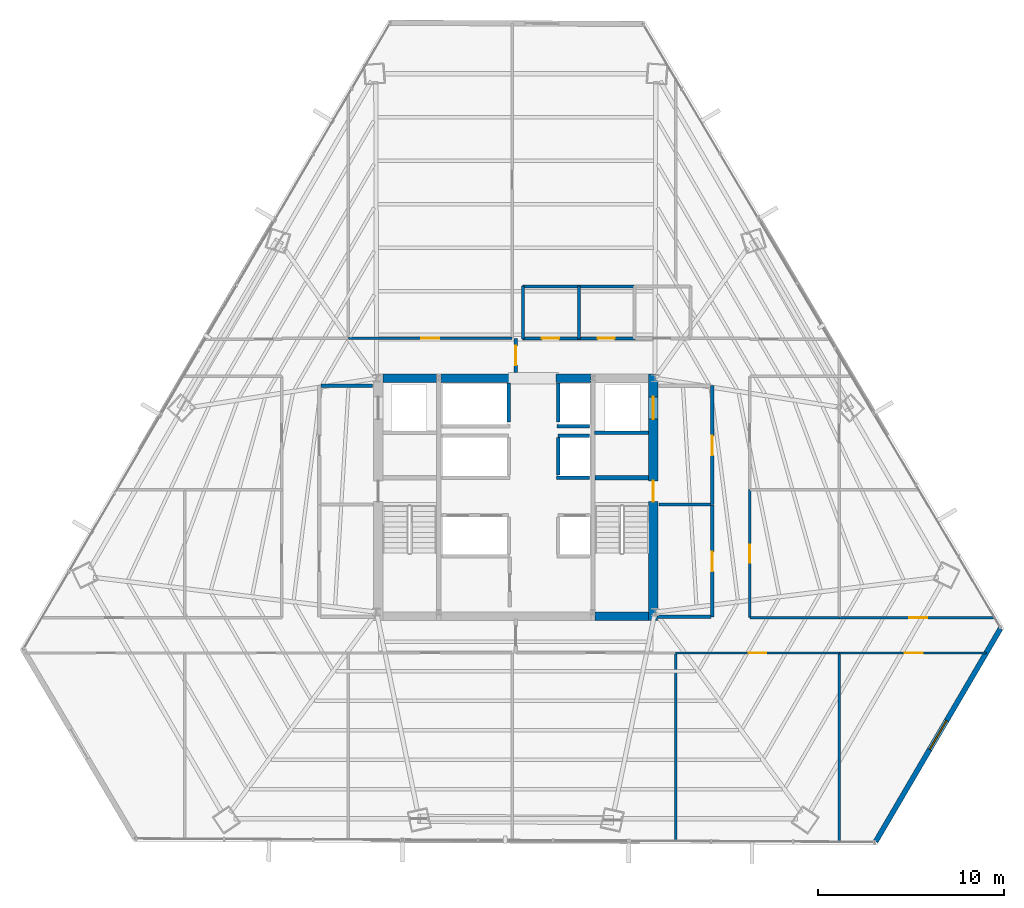
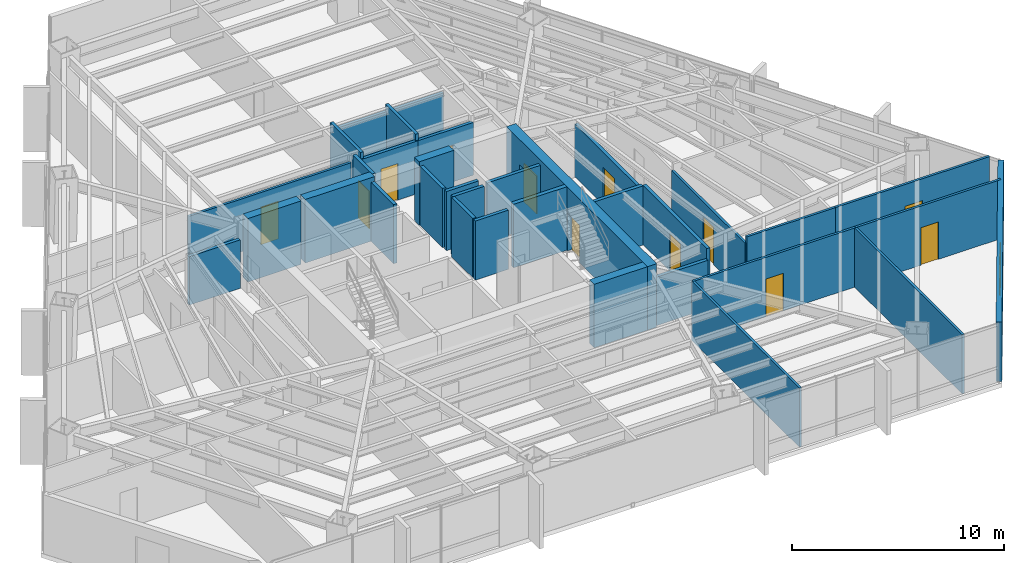
# One storey, part 31 of 35: 34 walls, 12 doors, 1 window, 13 openings.
"""IFC4 building model written with IfcOpenShell, lengths in metres."""

from ifc_helpers import new_model, si_unit, direction, frame, frame_2d, origin, place, context, subcontext, project, spatial, rectangle, extrude, material, layer, layer_set, type_object, element, fill, save


model = new_model("IFC4")

# Units and contexts
model_context = context("Model", 3, precision=1e-05, world=origin(), true_north=direction((0.0, 1.0)))
body_context = subcontext(model_context, "Body", "Model", "MODEL_VIEW")
ifc_project = project(units=[si_unit("LENGTHUNIT", "METRE"), si_unit("AREAUNIT", "SQUARE_METRE"), si_unit("VOLUMEUNIT", "CUBIC_METRE"), si_unit("PLANEANGLEUNIT", "RADIAN"), si_unit("MASSUNIT", "GRAM", prefix="KILO")], contexts=[model_context])

# Site, building, storey
site_placement = place(None, origin())
site = spatial("IfcSite", under=ifc_project, at=site_placement, CompositionType="ELEMENT")
building_placement = place(site_placement, origin())
building = spatial("IfcBuilding", under=site, at=building_placement, Name="Caelisora Broadcast Tower", CompositionType="ELEMENT")
storey_placement = place(building_placement, frame((0.0, 0.0, 98.10009765625)))
storey = spatial("IfcBuildingStorey", under=building, at=storey_placement, Name="L25", CompositionType="ELEMENT", Elevation=98.10009765625)

# Wall, openings, doors
ifc_material_1 = material(Name="Concrete 50 MPa (AS 3600 S50)", Category="concrete")
ifc_layer_1 = layer(ifc_material_1, 0.5, Name="Concrete 50 MPa (AS 3600 S50)")
ifc_layer_set_1 = layer_set([ifc_layer_1], Name="Concrete 50 MPa (AS 3600 S50)")
wall_type_1 = type_object("IfcWallType", Name="CW2", PredefinedType="SHEAR", material=ifc_layer_set_1)
wall_1_placement = place(storey_placement, frame((45.409912109375, 16.949951171875, 0.0), z_axis=(0.0, 0.0, 1.0), x_axis=(0.0, 1.0, 0.0)))
wall_1 = element("IfcWall", 1, at=wall_1_placement, inside=storey, type_object=wall_type_1, Name="L25 core shear wall CW2", PredefinedType="SHEAR", context=body_context, shape_type="SweptSolid", body=[
    extrude(rectangle(XDim=13.275146484375, YDim=0.5, at=frame_2d((6.6376953125, 0.0))), origin(), (0.0, 0.0, 1.0), 3.64990234375),
])
opening_1_placement = place(wall_1_placement, frame((6.39990234375, 0.0, 0.0)))
opening_1 = element("IfcOpeningElement", 2, at=opening_1_placement, cuts=wall_1, Name="Opening FD04", PredefinedType="OPENING", context=body_context, shape_type="SweptSolid", body=[
    extrude(rectangle(XDim=1.1201171875, YDim=2.14990234375, at=frame_2d((0.56005859375, 1.074951171875))), frame((0.0, 0.261962890625, 0.0), z_axis=(0.0, -1.0, 0.0), x_axis=(1.0, 0.0, 0.0)), (0.0, 0.0, 1.0), 0.52392578125),
])
opening_2_placement = place(wall_1_placement, frame((10.85009765625, 0.0, 0.0)))
opening_2 = element("IfcOpeningElement", 3, at=opening_2_placement, cuts=wall_1, Name="Opening LD04", PredefinedType="OPENING", context=body_context, shape_type="SweptSolid", body=[
    extrude(rectangle(XDim=1.199951171875, YDim=2.199951171875, at=frame_2d((0.60009765625, 1.10009765625))), frame((0.0, 0.261962890625, 0.0), z_axis=(0.0, -1.0, 0.0), x_axis=(1.0, 0.0, 0.0)), (0.0, 0.0, 1.0), 0.52392578125),
])
ifc_material_2 = material(Name="Pressurised Fire-Isolated Stair Door", Category="steel")
door_type_1 = type_object("IfcDoorType", Name="FD04", OperationType="NOTDEFINED", PredefinedType="DOOR", material=ifc_material_2)
door_1_placement = place(opening_1_placement, origin())
door_1 = element("IfcDoor", 4, at=door_1_placement, inside=storey, type_object=door_type_1, Name="L25 door FD04 (L25-DR-ST2)", OperationType="SINGLE_SWING_RIGHT", OverallHeight=2.14990234375, OverallWidth=1.1201171875, PredefinedType="DOOR", context=body_context, shape_type="SweptSolid", body=[
    extrude(rectangle(XDim=1.1201171875, YDim=2.14990234375, at=frame_2d((0.56005859375, 1.074951171875))), frame((0.0, 0.02490234375, 0.0), z_axis=(0.0, -1.0, 0.0), x_axis=(1.0, 0.0, 0.0)), (0.0, 0.0, 1.0), 0.050048828125),
])
fill(opening_1, door_1)
ifc_material_3 = material(Name="Emergency Firefighting Lift Sliding Landing Door", Category="steel")
door_type_2 = type_object("IfcDoorType", Name="LD04", OperationType="NOTDEFINED", PredefinedType="DOOR", material=ifc_material_3)
door_2_placement = place(opening_2_placement, origin())
door_2 = element("IfcDoor", 5, at=door_2_placement, inside=storey, type_object=door_type_2, Name="L25 door LD04 (L25-LD-FFL2)", OperationType="SLIDING_TO_RIGHT", OverallHeight=2.199951171875, OverallWidth=1.199951171875, PredefinedType="DOOR", context=body_context, shape_type="SweptSolid", body=[
    extrude(rectangle(XDim=1.199951171875, YDim=2.199951171875, at=frame_2d((0.60009765625, 1.10009765625))), frame((0.0, 0.02490234375, 0.0), z_axis=(0.0, -1.0, 0.0), x_axis=(1.0, 0.0, 0.0)), (0.0, 0.0, 1.0), 0.050048828125),
])
fill(opening_2, door_2)

# Walls
ifc_layer_2 = layer(ifc_material_1, 0.449951171875, Name="Concrete 50 MPa (AS 3600 S50)")
ifc_layer_set_2 = layer_set([ifc_layer_2], Name="Concrete 50 MPa (AS 3600 S50)")
wall_type_2 = type_object("IfcWallType", Name="CW5", PredefinedType="SHEAR", material=ifc_layer_set_2)
for number, where, z_axis, x_axis, name in (
    (6, (42.260009765625, 17.175048828125, 0.0), (0.0, 0.0, 1.0), (1.0, 0.0, 0.0), "L25 core shear wall CW5"),
    (7, (30.840087890625, 30.0, 0.0), (0.0, 0.0, 1.0), (1.0, 0.0, 0.0), "L25 core shear wall CW5"),
):
    element("IfcWall", number, at=place(storey_placement, frame(where, z_axis=z_axis, x_axis=x_axis)), inside=storey, type_object=wall_type_2, Name=name, PredefinedType="SHEAR", context=body_context, shape_type="SweptSolid", body=[
        extrude(rectangle(XDim=2.89990234375, YDim=0.449951171875, at=frame_2d((1.449951171875, 0.0))), origin(), (0.0, 0.0, 1.0), 3.64990234375),
    ])
wall_2_placement = place(storey_placement, frame((33.9599609375, 30.0, 0.0), z_axis=(0.0, 0.0, 1.0), x_axis=(1.0, 0.0, 0.0)))
element("IfcWall", 8, at=wall_2_placement, inside=storey, type_object=wall_type_2, Name="L25 core shear wall CW5", PredefinedType="SHEAR", context=body_context, shape_type="SweptSolid", body=[
    extrude(rectangle(XDim=3.780029296875, YDim=0.449951171875, at=frame_2d((1.89013671875, 0.0))), origin(), (0.0, 0.0, 1.0), 3.64990234375),
])
wall_3_placement = place(storey_placement, frame((40.159912109375, 30.0, 0.0), z_axis=(0.0, 0.0, 1.0), x_axis=(1.0, 0.0, 0.0)))
element("IfcWall", 9, at=wall_3_placement, inside=storey, type_object=wall_type_2, Name="L25 core shear wall CW5", PredefinedType="SHEAR", context=body_context, shape_type="SweptSolid", body=[
    extrude(rectangle(XDim=1.880126953125, YDim=0.449951171875, at=frame_2d((0.93994140625, 0.0))), origin(), (0.0, 0.0, 1.0), 3.64990234375),
])
ifc_layer_3 = layer(ifc_material_1, 0.219970703125, Name="Concrete 50 MPa (AS 3600 S50)")
ifc_layer_set_3 = layer_set([ifc_layer_3], Name="Concrete 50 MPa (AS 3600 S50)")
wall_type_3 = type_object("IfcWallType", Name="CW7", PredefinedType="SHEAR", material=ifc_layer_set_3)
wall_4_placement = place(storey_placement, frame((42.260009765625, 24.639892578125, 0.0), z_axis=(0.0, 0.0, 1.0), x_axis=(1.0, 0.0, 0.0)))
element("IfcWall", 10, at=wall_4_placement, inside=storey, type_object=wall_type_3, Name="L25 core shear wall CW7", PredefinedType="SHEAR", context=body_context, shape_type="SweptSolid", body=[
    extrude(rectangle(XDim=2.89990234375, YDim=0.219970703125, at=frame_2d((1.449951171875, 0.0))), origin(), (0.0, 0.0, 1.0), 3.64990234375),
])

# Wall, opening, window
ifc_material_4 = material(Name="Insulated Terracotta Spandrel Wall System", Category="masonry")
ifc_layer_4 = layer(ifc_material_4, 0.280029296875, Name="Insulated Terracotta Spandrel Wall System")
ifc_layer_set_4 = layer_set([ifc_layer_4], Name="Insulated Terracotta Spandrel Wall System")
wall_type_4 = type_object("IfcWallType", Name="EW1", PredefinedType="STANDARD", material=ifc_layer_set_4)
wall_5_placement = place(storey_placement, frame((64.10986328125, 16.51806640625, 0.0), z_axis=(0.0, 0.0, 1.0), x_axis=(-0.505488633575, -0.86283326392, 0.0)))
wall_5 = element("IfcWall", 11, at=wall_5_placement, inside=storey, type_object=wall_type_4, Name="L25 exterior envelope wall EW1", PredefinedType="STANDARD", context=body_context, shape_type="SweptSolid", body=[
    extrude(rectangle(XDim=13.29931640625, YDim=0.280029296875, at=frame_2d((6.649658203125, 0.0))), origin(), (0.0, 0.0, 1.0), 3.39990234375),
])
opening_3_placement = place(wall_5_placement, frame((5.75, 0.0, 0.89990234375)))
opening_3 = element("IfcOpeningElement", 12, at=opening_3_placement, cuts=wall_5, Name="Opening W01", PredefinedType="OPENING", context=body_context, shape_type="SweptSolid", body=[
    extrude(rectangle(XDim=1.800048828125, YDim=1.800048828125, at=frame_2d((0.89990234375, 0.89990234375))), frame((0.0, 0.152099609375, 0.0), z_axis=(0.0, -1.0, 0.0), x_axis=(1.0, 0.0, 0.0)), (0.0, 0.0, 1.0), 0.303955078125),
])
ifc_material_5 = material(Name="Double Glazed Terracotta-Framed Vision Window", Category="glass")
window_type = type_object("IfcWindowType", Name="W01", PartitioningType="SINGLE_PANEL", PredefinedType="WINDOW", material=ifc_material_5)
window_placement = place(opening_3_placement, origin())
window = element("IfcWindow", 13, at=window_placement, inside=storey, type_object=window_type, Name="L25 window W01 (L25-WN-CH0)", OverallHeight=1.800048828125, OverallWidth=1.800048828125, PartitioningType="SINGLE_PANEL", PredefinedType="WINDOW", context=body_context, shape_type="SweptSolid", body=[
    extrude(rectangle(XDim=1.800048828125, YDim=1.800048828125, at=frame_2d((0.89990234375, 0.89990234375))), frame((0.0, 0.030029296875, 0.0), z_axis=(0.0, -1.0, 0.0), x_axis=(1.0, 0.0, 0.0)), (0.0, 0.0, 1.0), 0.06005859375),
])
fill(opening_3, window)

# Walls
ifc_material_6 = material(Name="Fire-Rated Gypsum Shaft and Compartment Wall", Category="gypsum")
ifc_layer_5 = layer(ifc_material_6, 0.179931640625, Name="Fire-Rated Gypsum Shaft and Compartment Wall")
ifc_layer_set_5 = layer_set([ifc_layer_5], Name="Fire-Rated Gypsum Shaft and Compartment Wall")
wall_type_5 = type_object("IfcWallType", Name="PW2", PredefinedType="PARTITIONING", material=ifc_layer_set_5)
wall_6_placement = place(storey_placement, frame((40.280029296875, 26.89990234375, 0.0), z_axis=(0.0, 0.0, 1.0), x_axis=(1.0, 0.0, 0.0)))
element("IfcWall", 14, at=wall_6_placement, inside=storey, type_object=wall_type_5, Name="L25 fire compartment wall PW2", PredefinedType="PARTITIONING", context=body_context, shape_type="SweptSolid", body=[
    extrude(rectangle(XDim=1.699951171875, YDim=0.179931640625, at=frame_2d((0.85009765625, 0.0))), origin(), (0.0, 0.0, 1.0), 3.39990234375),
])
wall_7_placement = place(storey_placement, frame((40.280029296875, 24.800048828125, 0.0), z_axis=(0.0, 0.0, 1.0), x_axis=(0.0, 1.0, 0.0)))
element("IfcWall", 15, at=wall_7_placement, inside=storey, type_object=wall_type_5, Name="L25 fire compartment wall PW2", PredefinedType="PARTITIONING", context=body_context, shape_type="SweptSolid", body=[
    extrude(rectangle(XDim=2.0, YDim=0.179931640625, at=frame_2d((1.0, 0.0))), origin(), (0.0, 0.0, 1.0), 3.39990234375),
])
wall_8_placement = place(storey_placement, frame((40.199951171875, 24.639892578125, 0.0), z_axis=(0.0, 0.0, 1.0), x_axis=(1.0, 0.0, 0.0)))
element("IfcWall", 16, at=wall_8_placement, inside=storey, type_object=wall_type_5, Name="L25 fire compartment wall PW2", PredefinedType="PARTITIONING", context=body_context, shape_type="SweptSolid", body=[
    extrude(rectangle(XDim=1.780029296875, YDim=0.179931640625, at=frame_2d((0.89013671875, 0.0))), origin(), (0.0, 0.0, 1.0), 3.39990234375),
])
wall_9_placement = place(storey_placement, frame((40.219970703125, 27.419921875, 0.0), z_axis=(0.0, 0.0, 1.0), x_axis=(1.0, 0.0, 0.0)))
element("IfcWall", 17, at=wall_9_placement, inside=storey, type_object=wall_type_5, Name="L25 fire compartment wall PW2", PredefinedType="PARTITIONING", context=body_context, shape_type="SweptSolid", body=[
    extrude(rectangle(XDim=1.760009765625, YDim=0.179931640625, at=frame_2d((0.8798828125, 0.0))), origin(), (0.0, 0.0, 1.0), 3.39990234375),
])
for number, where, z_axis, x_axis, name in (
    (18, (37.6201171875, 27.639892578125, 0.0), (0.0, 0.0, 1.0), (0.0, 1.0, 0.0), "L25 fire compartment wall PW2"),
    (19, (40.280029296875, 27.639892578125, 0.0), (0.0, 0.0, 1.0), (0.0, 1.0, 0.0), "L25 fire compartment wall PW2"),
):
    element("IfcWall", number, at=place(storey_placement, frame(where, z_axis=z_axis, x_axis=x_axis)), inside=storey, type_object=wall_type_5, Name=name, PredefinedType="PARTITIONING", context=body_context, shape_type="SweptSolid", body=[
        extrude(rectangle(XDim=2.110107421875, YDim=0.179931640625, at=frame_2d((1.05517578125, 0.0))), origin(), (0.0, 0.0, 1.0), 3.39990234375),
    ])
wall_10_placement = place(storey_placement, frame((27.52001953125, 29.60009765625, 0.0), z_axis=(0.0, 0.0, 1.0), x_axis=(1.0, 0.0, 0.0)))
element("IfcWall", 20, at=wall_10_placement, inside=storey, type_object=wall_type_5, Name="L25 fire compartment wall PW2", PredefinedType="PARTITIONING", context=body_context, shape_type="SweptSolid", body=[
    extrude(rectangle(XDim=2.760009765625, YDim=0.179931640625, at=frame_2d((1.3798828125, 0.0))), origin(), (0.0, 0.0, 1.0), 2.78271484375),
])

# Wall, opening, door
wall_11_placement = place(storey_placement, frame((48.580078125, 23.199951171875, 0.0), z_axis=(0.0, 0.0, 1.0), x_axis=(0.0, 1.0, 0.0)))
wall_11 = element("IfcWall", 21, at=wall_11_placement, inside=storey, type_object=wall_type_5, Name="L25 fire compartment wall PW2", PredefinedType="PARTITIONING", context=body_context, shape_type="SweptSolid", body=[
    extrude(rectangle(XDim=6.400146484375, YDim=0.179931640625, at=frame_2d((3.2001953125, 0.0))), origin(), (0.0, 0.0, 1.0), 3.0263671875),
])
opening_4_placement = place(wall_11_placement, frame((2.64990234375, 0.0, 0.0)))
opening_4 = element("IfcOpeningElement", 22, at=opening_4_placement, cuts=wall_11, Name="Opening FD02", PredefinedType="OPENING", context=body_context, shape_type="SweptSolid", body=[
    extrude(rectangle(XDim=1.050048828125, YDim=2.14990234375, at=frame_2d((0.52490234375, 1.074951171875))), frame((0.0, 0.10205078125, 0.0), z_axis=(0.0, -1.0, 0.0), x_axis=(1.0, 0.0, 0.0)), (0.0, 0.0, 1.0), 0.203857421875),
])
ifc_material_7 = material(Name="Single-Leaf Steel Fire Lobby Door", Category="steel")
door_type_3 = type_object("IfcDoorType", Name="FD02", OperationType="NOTDEFINED", PredefinedType="DOOR", material=ifc_material_7)
door_3_placement = place(opening_4_placement, origin())
door_3 = element("IfcDoor", 23, at=door_3_placement, inside=storey, type_object=door_type_3, Name="L25 door FD02 (L25-DR-P04D1)", OperationType="SINGLE_SWING_LEFT", OverallHeight=2.14990234375, OverallWidth=1.050048828125, PredefinedType="DOOR", context=body_context, shape_type="SweptSolid", body=[
    extrude(rectangle(XDim=1.050048828125, YDim=2.14990234375, at=frame_2d((0.52490234375, 1.074951171875))), frame((0.0, 0.02490234375, 0.0), z_axis=(0.0, -1.0, 0.0), x_axis=(1.0, 0.0, 0.0)), (0.0, 0.0, 1.0), 0.050048828125),
])
fill(opening_4, door_3)

# Walls
wall_12_placement = place(storey_placement, frame((45.719970703125, 23.199951171875, 0.0), z_axis=(0.0, 0.0, 1.0), x_axis=(1.0, 0.0, 0.0)))
element("IfcWall", 24, at=wall_12_placement, inside=storey, type_object=wall_type_5, Name="L25 fire compartment wall PW2", PredefinedType="PARTITIONING", context=body_context, shape_type="SweptSolid", body=[
    extrude(rectangle(XDim=2.760009765625, YDim=0.179931640625, at=frame_2d((1.3798828125, 0.0))), origin(), (0.0, 0.0, 1.0), 3.39990234375),
])
wall_13_placement = place(storey_placement, frame((42.239990234375, 27.070068359375, 0.0), z_axis=(0.0, 0.0, 1.0), x_axis=(1.0, 0.0, 0.0)))
element("IfcWall", 25, at=wall_13_placement, inside=storey, type_object=wall_type_5, Name="L25 fire compartment wall PW2", PredefinedType="PARTITIONING", context=body_context, shape_type="SweptSolid", body=[
    extrude(rectangle(XDim=2.89990234375, YDim=0.179931640625, at=frame_2d((1.449951171875, 0.0))), origin(), (0.0, 0.0, 1.0), 3.39990234375),
])

# Wall, opening, door
wall_14_placement = place(storey_placement, frame((48.580078125, 17.14990234375, 0.0), z_axis=(0.0, 0.0, 1.0), x_axis=(0.0, 1.0, 0.0)))
wall_14 = element("IfcWall", 26, at=wall_14_placement, inside=storey, type_object=wall_type_5, Name="L25 fire compartment wall PW2", PredefinedType="PARTITIONING", context=body_context, shape_type="SweptSolid", body=[
    extrude(rectangle(XDim=6.030029296875, YDim=0.179931640625, at=frame_2d((3.01513671875, 0.0))), origin(), (0.0, 0.0, 1.0), 3.39990234375),
])
opening_5_placement = place(wall_14_placement, frame((2.449951171875, 0.0, 0.0)))
opening_5 = element("IfcOpeningElement", 27, at=opening_5_placement, cuts=wall_14, Name="Opening FD02", PredefinedType="OPENING", context=body_context, shape_type="SweptSolid", body=[
    extrude(rectangle(XDim=1.050048828125, YDim=2.14990234375, at=frame_2d((0.52490234375, 1.074951171875))), frame((0.0, 0.10205078125, 0.0), z_axis=(0.0, -1.0, 0.0), x_axis=(1.0, 0.0, 0.0)), (0.0, 0.0, 1.0), 0.203857421875),
])
door_4_placement = place(opening_5_placement, origin())
door_4 = element("IfcDoor", 28, at=door_4_placement, inside=storey, type_object=door_type_3, Name="L25 door FD02 (L25-DR-P14D1)", OperationType="SINGLE_SWING_RIGHT", OverallHeight=2.14990234375, OverallWidth=1.050048828125, PredefinedType="DOOR", context=body_context, shape_type="SweptSolid", body=[
    extrude(rectangle(XDim=1.050048828125, YDim=2.14990234375, at=frame_2d((0.52490234375, 1.074951171875))), frame((0.0, 0.02490234375, 0.0), z_axis=(0.0, -1.0, 0.0), x_axis=(1.0, 0.0, 0.0)), (0.0, 0.0, 1.0), 0.050048828125),
])
fill(opening_5, door_4)

# Wall
wall_15_placement = place(storey_placement, frame((45.6201171875, 17.14990234375, 0.0), z_axis=(0.0, 0.0, 1.0), x_axis=(1.0, 0.0, 0.0)))
element("IfcWall", 29, at=wall_15_placement, inside=storey, type_object=wall_type_5, Name="L25 fire compartment wall PW2", PredefinedType="PARTITIONING", context=body_context, shape_type="SweptSolid", body=[
    extrude(rectangle(XDim=2.89990234375, YDim=0.179931640625, at=frame_2d((1.449951171875, 0.0))), origin(), (0.0, 0.0, 1.0), 2.78271484375),
])

# Wall, opening, door
wall_16_placement = place(storey_placement, frame((38.0, 30.320068359375, 0.0), z_axis=(0.0, 0.0, 1.0), x_axis=(0.0, 1.0, 0.0)))
wall_16 = element("IfcWall", 30, at=wall_16_placement, inside=storey, type_object=wall_type_5, Name="L25 fire compartment wall PW2", PredefinedType="PARTITIONING", context=body_context, shape_type="SweptSolid", body=[
    extrude(rectangle(XDim=1.809814453125, YDim=0.179931640625, at=frame_2d((0.90478515625, 0.0))), origin(), (0.0, 0.0, 1.0), 3.39990234375),
])
opening_6_placement = place(wall_16_placement, frame((0.3798828125, 0.0, 0.0)))
opening_6 = element("IfcOpeningElement", 31, at=opening_6_placement, cuts=wall_16, Name="Opening FD02", PredefinedType="OPENING", context=body_context, shape_type="SweptSolid", body=[
    extrude(rectangle(XDim=1.050048828125, YDim=2.14990234375, at=frame_2d((0.52490234375, 1.074951171875))), frame((0.0, 0.10205078125, 0.0), z_axis=(0.0, -1.0, 0.0), x_axis=(1.0, 0.0, 0.0)), (0.0, 0.0, 1.0), 0.203857421875),
])
door_5_placement = place(opening_6_placement, origin())
door_5 = element("IfcDoor", 32, at=door_5_placement, inside=storey, type_object=door_type_3, Name="L25 door FD02 (L25-DR-P64D1)", OperationType="SINGLE_SWING_RIGHT", OverallHeight=2.14990234375, OverallWidth=1.050048828125, PredefinedType="DOOR", context=body_context, shape_type="SweptSolid", body=[
    extrude(rectangle(XDim=1.050048828125, YDim=2.14990234375, at=frame_2d((0.52490234375, 1.074951171875))), frame((0.0, 0.02490234375, 0.0), z_axis=(0.0, -1.0, 0.0), x_axis=(1.0, 0.0, 0.0)), (0.0, 0.0, 1.0), 0.050048828125),
])
fill(opening_6, door_5)

# Walls
ifc_material_8 = material(Name="Acoustic Steel-Stud Plasterboard Partition", Category="gypsum")
ifc_layer_6 = layer(ifc_material_8, 0.1298828125, Name="Acoustic Steel-Stud Plasterboard Partition")
ifc_layer_set_6 = layer_set([ifc_layer_6], Name="Acoustic Steel-Stud Plasterboard Partition")
wall_type_6 = type_object("IfcWallType", Name="PW3", PredefinedType="PARTITIONING", material=ifc_layer_set_6)
wall_17_placement = place(storey_placement, frame((55.429931640625, 5.021240234375, 0.0), z_axis=(0.0, 0.0, 1.0), x_axis=(0.0, 1.0, 0.0)))
element("IfcWall", 33, at=wall_17_placement, inside=storey, type_object=wall_type_6, Name="L25 internal partition PW3", PredefinedType="PARTITIONING", context=body_context, shape_type="SweptSolid", body=[
    extrude(rectangle(XDim=10.173828125, YDim=0.1298828125, at=frame_2d((5.0869140625, 0.0))), origin(), (0.0, 0.0, 1.0), 3.39990234375),
])
wall_18_placement = place(storey_placement, frame((46.610107421875, 5.061279296875, 0.0), z_axis=(0.0, 0.0, 1.0), x_axis=(0.0, 1.0, 0.0)))
element("IfcWall", 34, at=wall_18_placement, inside=storey, type_object=wall_type_6, Name="L25 internal partition PW3", PredefinedType="PARTITIONING", context=body_context, shape_type="SweptSolid", body=[
    extrude(rectangle(XDim=10.1337890625, YDim=0.1298828125, at=frame_2d((5.06689453125, 0.0))), origin(), (0.0, 0.0, 1.0), 3.39990234375),
])

# Wall, opening, door
wall_19_placement = place(storey_placement, frame((46.614990234375, 15.199951171875, 0.0), z_axis=(0.0, 0.0, 1.0), x_axis=(1.0, 0.0, 0.0)))
wall_19 = element("IfcWall", 35, at=wall_19_placement, inside=storey, type_object=wall_type_6, Name="L25 internal partition PW3", PredefinedType="PARTITIONING", context=body_context, shape_type="SweptSolid", body=[
    extrude(rectangle(XDim=8.81005859375, YDim=0.1298828125, at=frame_2d((4.405029296875, 0.0))), origin(), (0.0, 0.0, 1.0), 3.39990234375),
])
opening_7_placement = place(wall_19_placement, frame((3.925048828125, 0.0, 0.0)))
opening_7 = element("IfcOpeningElement", 36, at=opening_7_placement, cuts=wall_19, Name="Opening D01", PredefinedType="OPENING", context=body_context, shape_type="SweptSolid", body=[
    extrude(rectangle(XDim=0.9599609375, YDim=2.14990234375, at=frame_2d((0.47998046875, 1.074951171875))), frame((0.0, 0.076904296875, 0.0), z_axis=(0.0, -1.0, 0.0), x_axis=(1.0, 0.0, 0.0)), (0.0, 0.0, 1.0), 0.15380859375),
])
ifc_material_9 = material(Name="Solid-Core Timber Acoustic Office Door", Category="wood")
door_type_4 = type_object("IfcDoorType", Name="D01", OperationType="NOTDEFINED", PredefinedType="DOOR", material=ifc_material_9)
door_6_placement = place(opening_7_placement, origin())
door_6 = element("IfcDoor", 37, at=door_6_placement, inside=storey, type_object=door_type_4, Name="L25 door D01 (L25-DR-P35D1)", OperationType="SINGLE_SWING_LEFT", OverallHeight=2.14990234375, OverallWidth=0.9599609375, PredefinedType="DOOR", context=body_context, shape_type="SweptSolid", body=[
    extrude(rectangle(XDim=0.9599609375, YDim=2.14990234375, at=frame_2d((0.47998046875, 1.074951171875))), frame((0.0, 0.02490234375, 0.0), z_axis=(0.0, -1.0, 0.0), x_axis=(1.0, 0.0, 0.0)), (0.0, 0.0, 1.0), 0.050048828125),
])
fill(opening_7, door_6)

wall_20_placement = place(storey_placement, frame((28.985107421875, 32.14990234375, 0.0), z_axis=(0.0, 0.0, 1.0), x_axis=(1.0, 0.0, 0.0)))
wall_20 = element("IfcWall", 38, at=wall_20_placement, inside=storey, type_object=wall_type_6, Name="L25 internal partition PW3", PredefinedType="PARTITIONING", context=body_context, shape_type="SweptSolid", body=[
    extrude(rectangle(XDim=8.809814453125, YDim=0.1298828125, at=frame_2d((4.40478515625, 0.0))), origin(), (0.0, 0.0, 1.0), 3.0263671875),
])
opening_8_placement = place(wall_20_placement, frame((3.925048828125, 0.0, 0.0)))
opening_8 = element("IfcOpeningElement", 39, at=opening_8_placement, cuts=wall_20, Name="Opening D01", PredefinedType="OPENING", context=body_context, shape_type="SweptSolid", body=[
    extrude(rectangle(XDim=0.9599609375, YDim=2.14990234375, at=frame_2d((0.47998046875, 1.074951171875))), frame((0.0, 0.076904296875, 0.0), z_axis=(0.0, -1.0, 0.0), x_axis=(1.0, 0.0, 0.0)), (0.0, 0.0, 1.0), 0.15380859375),
])
door_7_placement = place(opening_8_placement, origin())
door_7 = element("IfcDoor", 40, at=door_7_placement, inside=storey, type_object=door_type_4, Name="L25 door D01 (L25-DR-P36D1)", OperationType="SINGLE_SWING_RIGHT", OverallHeight=2.14990234375, OverallWidth=0.9599609375, PredefinedType="DOOR", context=body_context, shape_type="SweptSolid", body=[
    extrude(rectangle(XDim=0.9599609375, YDim=2.14990234375, at=frame_2d((0.47998046875, 1.074951171875))), frame((0.0, 0.02490234375, 0.0), z_axis=(0.0, -1.0, 0.0), x_axis=(1.0, 0.0, 0.0)), (0.0, 0.0, 1.0), 0.050048828125),
])
fill(opening_8, door_7)

wall_21_placement = place(storey_placement, frame((55.43505859375, 17.10009765625, 0.0), z_axis=(0.0, 0.0, 1.0), x_axis=(1.0, 0.0, 0.0)))
wall_21 = element("IfcWall", 41, at=wall_21_placement, inside=storey, type_object=wall_type_6, Name="L25 internal partition PW3", PredefinedType="PARTITIONING", context=body_context, shape_type="SweptSolid", body=[
    extrude(rectangle(XDim=8.366455078125, YDim=0.1298828125, at=frame_2d((4.18310546875, 0.0))), origin(), (0.0, 0.0, 1.0), 3.39990234375),
])
opening_9_placement = place(wall_21_placement, frame((3.757080078125, 0.0, 0.0)))
opening_9 = element("IfcOpeningElement", 42, at=opening_9_placement, cuts=wall_21, Name="Opening D01", PredefinedType="OPENING", context=body_context, shape_type="SweptSolid", body=[
    extrude(rectangle(XDim=0.9599609375, YDim=2.14990234375, at=frame_2d((0.47998046875, 1.074951171875))), frame((0.0, 0.076904296875, 0.0), z_axis=(0.0, -1.0, 0.0), x_axis=(1.0, 0.0, 0.0)), (0.0, 0.0, 1.0), 0.15380859375),
])
door_8_placement = place(opening_9_placement, origin())
door_8 = element("IfcDoor", 43, at=door_8_placement, inside=storey, type_object=door_type_4, Name="L25 door D01 (L25-DR-P41D1)", OperationType="SINGLE_SWING_LEFT", OverallHeight=2.14990234375, OverallWidth=0.9599609375, PredefinedType="DOOR", context=body_context, shape_type="SweptSolid", body=[
    extrude(rectangle(XDim=0.9599609375, YDim=2.14990234375, at=frame_2d((0.47998046875, 1.074951171875))), frame((0.0, 0.02490234375, 0.0), z_axis=(0.0, -1.0, 0.0), x_axis=(1.0, 0.0, 0.0)), (0.0, 0.0, 1.0), 0.050048828125),
])
fill(opening_9, door_8)

wall_22_placement = place(storey_placement, frame((55.43505859375, 15.199951171875, 0.0), z_axis=(0.0, 0.0, 1.0), x_axis=(1.0, 0.0, 0.0)))
wall_22 = element("IfcWall", 44, at=wall_22_placement, inside=storey, type_object=wall_type_6, Name="L25 internal partition PW3", PredefinedType="PARTITIONING", context=body_context, shape_type="SweptSolid", body=[
    extrude(rectangle(XDim=7.908447265625, YDim=0.1298828125, at=frame_2d((3.9541015625, 0.0))), origin(), (0.0, 0.0, 1.0), 3.39990234375),
])
opening_10_placement = place(wall_22_placement, frame((3.528076171875, 0.0, 0.0)))
opening_10 = element("IfcOpeningElement", 45, at=opening_10_placement, cuts=wall_22, Name="Opening D01", PredefinedType="OPENING", context=body_context, shape_type="SweptSolid", body=[
    extrude(rectangle(XDim=0.9599609375, YDim=2.14990234375, at=frame_2d((0.47998046875, 1.074951171875))), frame((0.0, 0.076904296875, 0.0), z_axis=(0.0, -1.0, 0.0), x_axis=(1.0, 0.0, 0.0)), (0.0, 0.0, 1.0), 0.15380859375),
])
door_9_placement = place(opening_10_placement, origin())
door_9 = element("IfcDoor", 46, at=door_9_placement, inside=storey, type_object=door_type_4, Name="L25 door D01 (L25-DR-P42D1)", OperationType="SINGLE_SWING_RIGHT", OverallHeight=2.14990234375, OverallWidth=0.9599609375, PredefinedType="DOOR", context=body_context, shape_type="SweptSolid", body=[
    extrude(rectangle(XDim=0.9599609375, YDim=2.14990234375, at=frame_2d((0.47998046875, 1.074951171875))), frame((0.0, 0.02490234375, 0.0), z_axis=(0.0, -1.0, 0.0), x_axis=(1.0, 0.0, 0.0)), (0.0, 0.0, 1.0), 0.050048828125),
])
fill(opening_10, door_9)

wall_23_placement = place(storey_placement, frame((50.60009765625, 17.10498046875, 0.0), z_axis=(0.0, 0.0, 1.0), x_axis=(0.0, 1.0, 0.0)))
wall_23 = element("IfcWall", 47, at=wall_23_placement, inside=storey, type_object=wall_type_6, Name="L25 internal partition PW3", PredefinedType="PARTITIONING", context=body_context, shape_type="SweptSolid", body=[
    extrude(rectangle(XDim=6.89013671875, YDim=0.1298828125, at=frame_2d((3.445068359375, 0.0))), origin(), (0.0, 0.0, 1.0), 3.0263671875),
])
opening_11_placement = place(wall_23_placement, frame((2.965087890625, 0.0, 0.0)))
opening_11 = element("IfcOpeningElement", 48, at=opening_11_placement, cuts=wall_23, Name="Opening D01", PredefinedType="OPENING", context=body_context, shape_type="SweptSolid", body=[
    extrude(rectangle(XDim=0.9599609375, YDim=2.14990234375, at=frame_2d((0.47998046875, 1.074951171875))), frame((0.0, 0.076904296875, 0.0), z_axis=(0.0, -1.0, 0.0), x_axis=(1.0, 0.0, 0.0)), (0.0, 0.0, 1.0), 0.15380859375),
])
door_10_placement = place(opening_11_placement, origin())
door_10 = element("IfcDoor", 49, at=door_10_placement, inside=storey, type_object=door_type_4, Name="L25 door D01 (L25-DR-P45D1)", OperationType="SINGLE_SWING_LEFT", OverallHeight=2.14990234375, OverallWidth=0.9599609375, PredefinedType="DOOR", context=body_context, shape_type="SweptSolid", body=[
    extrude(rectangle(XDim=0.9599609375, YDim=2.14990234375, at=frame_2d((0.47998046875, 1.074951171875))), frame((0.0, 0.02490234375, 0.0), z_axis=(0.0, -1.0, 0.0), x_axis=(1.0, 0.0, 0.0)), (0.0, 0.0, 1.0), 0.050048828125),
])
fill(opening_11, door_10)

# Wall
wall_24_placement = place(storey_placement, frame((55.425048828125, 17.10009765625, 0.0), z_axis=(0.0, 0.0, 1.0), x_axis=(-1.0, 0.0, 0.0)))
element("IfcWall", 50, at=wall_24_placement, inside=storey, type_object=wall_type_6, Name="L25 internal partition PW3", PredefinedType="PARTITIONING", context=body_context, shape_type="SweptSolid", body=[
    extrude(rectangle(XDim=4.820068359375, YDim=0.1298828125, at=frame_2d((2.41015625, 0.0))), origin(), (0.0, 0.0, 1.0), 3.39990234375),
])

# Wall, opening, door
ifc_material_10 = material(Name="Moisture-Resistant Wet Plumbing Service Wall", Category="gypsum")
ifc_layer_7 = layer(ifc_material_10, 0.159912109375, Name="Moisture-Resistant Wet Plumbing Service Wall")
ifc_layer_set_7 = layer_set([ifc_layer_7], Name="Moisture-Resistant Wet Plumbing Service Wall")
wall_type_7 = type_object("IfcWallType", Name="PW4", PredefinedType="PLUMBINGWALL", material=ifc_layer_set_7)
wall_25_placement = place(storey_placement, frame((38.375, 32.14990234375, 0.0), z_axis=(0.0, 0.0, 1.0), x_axis=(1.0, 0.0, 0.0)))
wall_25 = element("IfcWall", 51, at=wall_25_placement, inside=storey, type_object=wall_type_7, Name="L25 wet plumbing wall PW4", PredefinedType="PLUMBINGWALL", context=body_context, shape_type="SweptSolid", body=[
    extrude(rectangle(XDim=3.050048828125, YDim=0.159912109375, at=frame_2d((1.52490234375, 0.0))), origin(), (0.0, 0.0, 1.0), 3.0263671875),
])
opening_12_placement = place(wall_25_placement, frame((1.034912109375, 0.0, 0.0)))
opening_12 = element("IfcOpeningElement", 52, at=opening_12_placement, cuts=wall_25, Name="Opening D03", PredefinedType="OPENING", context=body_context, shape_type="SweptSolid", body=[
    extrude(rectangle(XDim=0.919921875, YDim=2.10009765625, at=frame_2d((0.4599609375, 1.050048828125))), frame((0.0, 0.092041015625, 0.0), z_axis=(0.0, -1.0, 0.0), x_axis=(1.0, 0.0, 0.0)), (0.0, 0.0, 1.0), 0.183837890625),
])
ifc_material_11 = material(Name="Laminate Moisture-Resistant Amenity WC Door", Category="wood")
door_type_5 = type_object("IfcDoorType", Name="D03", OperationType="NOTDEFINED", PredefinedType="DOOR", material=ifc_material_11)
door_11_placement = place(opening_12_placement, origin())
door_11 = element("IfcDoor", 53, at=door_11_placement, inside=storey, type_object=door_type_5, Name="L25 door D03 (L25-DR-P16D1)", OperationType="SINGLE_SWING_LEFT", OverallHeight=2.10009765625, OverallWidth=0.919921875, PredefinedType="DOOR", context=body_context, shape_type="SweptSolid", body=[
    extrude(rectangle(XDim=0.919921875, YDim=2.10009765625, at=frame_2d((0.4599609375, 1.050048828125))), frame((0.0, 0.02490234375, 0.0), z_axis=(0.0, -1.0, 0.0), x_axis=(1.0, 0.0, 0.0)), (0.0, 0.0, 1.0), 0.050048828125),
])
fill(opening_12, door_11)

wall_26_placement = place(storey_placement, frame((41.375, 32.14990234375, 0.0), z_axis=(0.0, 0.0, 1.0), x_axis=(1.0, 0.0, 0.0)))
wall_26 = element("IfcWall", 54, at=wall_26_placement, inside=storey, type_object=wall_type_7, Name="L25 wet plumbing wall PW4", PredefinedType="PLUMBINGWALL", context=body_context, shape_type="SweptSolid", body=[
    extrude(rectangle(XDim=3.050048828125, YDim=0.159912109375, at=frame_2d((1.52490234375, 0.0))), origin(), (0.0, 0.0, 1.0), 3.0263671875),
])
opening_13_placement = place(wall_26_placement, frame((1.034912109375, 0.0, 0.0)))
opening_13 = element("IfcOpeningElement", 55, at=opening_13_placement, cuts=wall_26, Name="Opening D03", PredefinedType="OPENING", context=body_context, shape_type="SweptSolid", body=[
    extrude(rectangle(XDim=0.919921875, YDim=2.10009765625, at=frame_2d((0.4599609375, 1.050048828125))), frame((0.0, 0.092041015625, 0.0), z_axis=(0.0, -1.0, 0.0), x_axis=(1.0, 0.0, 0.0)), (0.0, 0.0, 1.0), 0.183837890625),
])
door_12_placement = place(opening_13_placement, origin())
door_12 = element("IfcDoor", 56, at=door_12_placement, inside=storey, type_object=door_type_5, Name="L25 door D03 (L25-DR-P17D1)", OperationType="SINGLE_SWING_RIGHT", OverallHeight=2.10009765625, OverallWidth=0.919921875, PredefinedType="DOOR", context=body_context, shape_type="SweptSolid", body=[
    extrude(rectangle(XDim=0.919921875, YDim=2.10009765625, at=frame_2d((0.4599609375, 1.050048828125))), frame((0.0, 0.02490234375, 0.0), z_axis=(0.0, -1.0, 0.0), x_axis=(1.0, 0.0, 0.0)), (0.0, 0.0, 1.0), 0.050048828125),
])
fill(opening_13, door_12)

# Walls
for number, where, z_axis, x_axis, name in (
    (57, (38.375, 34.949951171875, 0.0), (0.0, 0.0, 1.0), (1.0, 0.0, 0.0), "L25 wet plumbing wall PW4"),
    (58, (41.375, 34.949951171875, 0.0), (0.0, 0.0, 1.0), (1.0, 0.0, 0.0), "L25 wet plumbing wall PW4"),
):
    element("IfcWall", number, at=place(storey_placement, frame(where, z_axis=z_axis, x_axis=x_axis)), inside=storey, type_object=wall_type_7, Name=name, PredefinedType="PLUMBINGWALL", context=body_context, shape_type="SweptSolid", body=[
        extrude(rectangle(XDim=3.050048828125, YDim=0.159912109375, at=frame_2d((1.52490234375, 0.0))), origin(), (0.0, 0.0, 1.0), 3.0263671875),
    ])
for number, where, z_axis, x_axis, name in (
    (59, (41.39990234375, 32.125, 0.0), (0.0, 0.0, 1.0), (0.0, 1.0, 0.0), "L25 wet plumbing wall PW4"),
    (60, (38.39990234375, 32.125, 0.0), (0.0, 0.0, 1.0), (0.0, 1.0, 0.0), "L25 wet plumbing wall PW4"),
):
    element("IfcWall", number, at=place(storey_placement, frame(where, z_axis=z_axis, x_axis=x_axis)), inside=storey, type_object=wall_type_7, Name=name, PredefinedType="PLUMBINGWALL", context=body_context, shape_type="SweptSolid", body=[
        extrude(rectangle(XDim=2.85009765625, YDim=0.159912109375, at=frame_2d((1.425048828125, 0.0))), origin(), (0.0, 0.0, 1.0), 3.39990234375),
    ])

save(model, "model.ifc")
